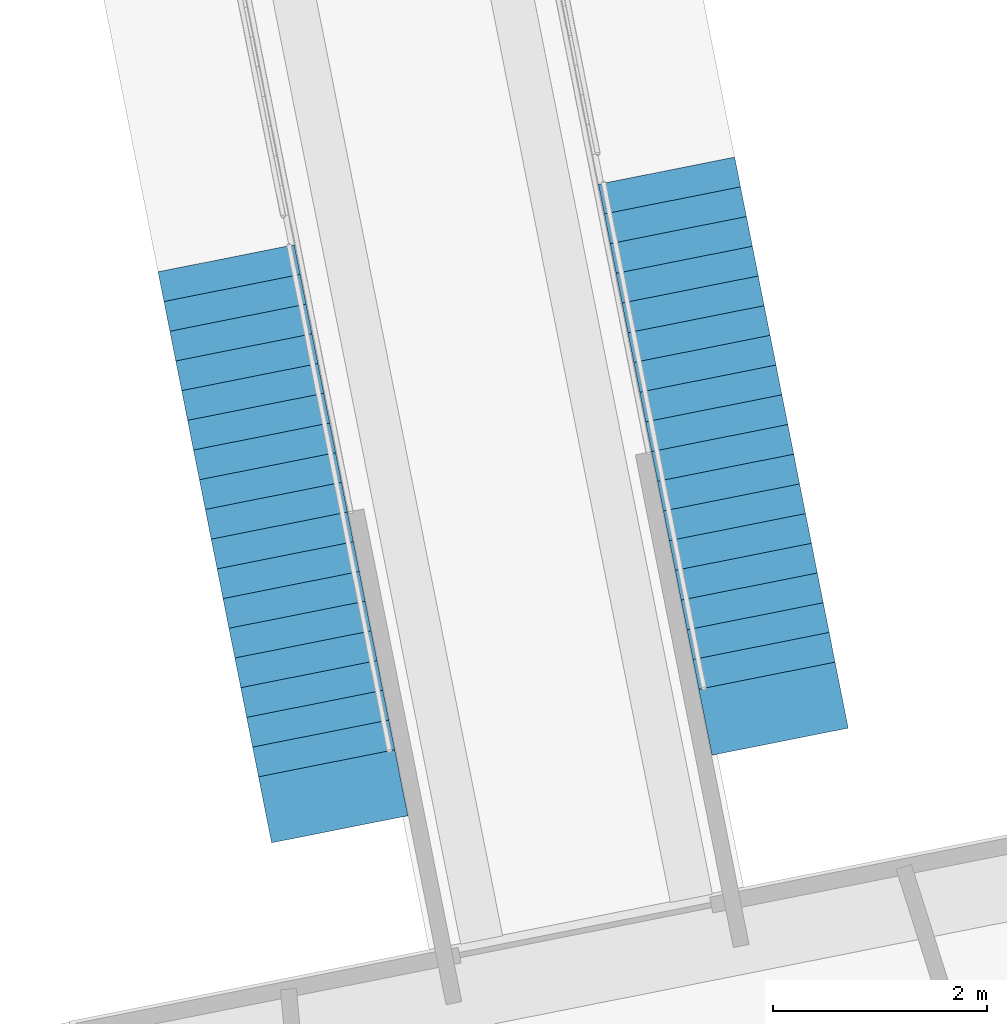
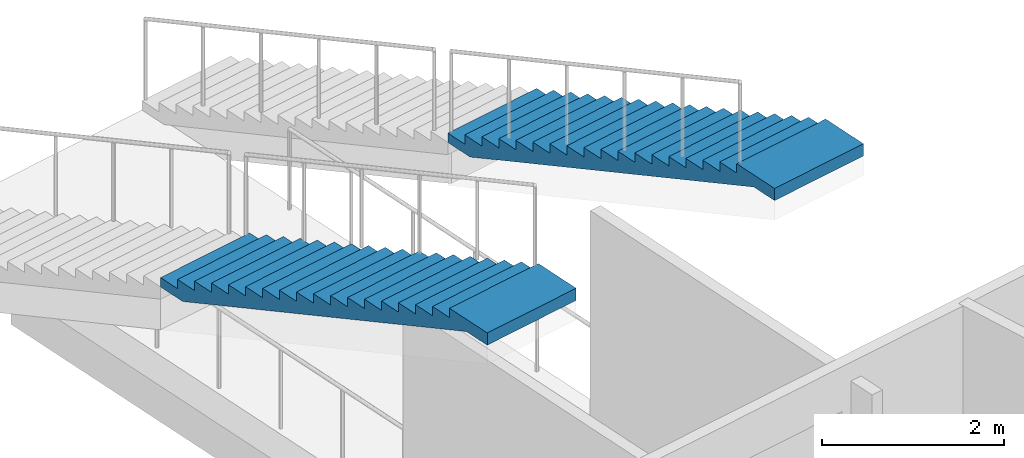
# One storey, part 72 of 175: 2 stair flights, 2 elements without a shape of their own.
"""IFC4 building model written with IfcOpenShell, lengths in metres."""

import ifcopenshell
import ifcopenshell.guid

model = None  # the IFC model being written
_history = None  # IfcOwnerHistory: only IFC2X3 demands one
_inside = {}  # id of a spatial element -> (the spatial element, [elements in it])
_under = {}  # id of a project, library or spatial element -> (it, [spatial elements below it])
_declared = {}  # id of a project -> (the project, [libraries it declares])
_typed = {}  # id of a type object -> (the type object, [elements of that type])
_made_of = {}  # id of a material, layer set ... -> (it, [elements and type objects made of it])


def new_model(schema):
    """Start an empty IFC model of exactly this schema.

    Asked for "IFC4X3", IfcOpenShell would pick the latest addendum, in which some entities
    have other attributes; the version numbers below select the first issue.
    IFC2X3 requires an IfcOwnerHistory on every rooted entity: one is made here for all.
    """
    global model, _history
    if schema == "IFC4X3":
        model = ifcopenshell.file(schema_version=(4, 3, 0, 0))
    else:
        model = ifcopenshell.file(schema=schema)
    _inside.clear()
    _under.clear()
    _declared.clear()
    _typed.clear()
    _made_of.clear()
    _history = None
    if model.schema == "IFC2X3":
        org = make("IfcOrganization", Name="unknown")
        user = make(
            "IfcPersonAndOrganization",
            ThePerson=make("IfcPerson", FamilyName="unknown"),
            TheOrganization=org,
        )
        app = make(
            "IfcApplication",
            ApplicationDeveloper=org,
            Version="unknown",
            ApplicationFullName="unknown",
            ApplicationIdentifier="unknown",
        )
        _history = make(
            "IfcOwnerHistory",
            OwningUser=user,
            OwningApplication=app,
            ChangeAction="ADDED",
            CreationDate=0,
        )
    return model


def make(cls, **values):
    """One entity of the class cls with the attributes given. An attribute that is None is left unset."""
    return model.create_entity(
        cls, **{name: value for name, value in values.items() if value is not None}
    )


def rooted(cls, **values):
    """An entity with a GlobalId (a new one), such as an element, a storey or a relation."""
    return make(cls, GlobalId=ifcopenshell.guid.new(), OwnerHistory=_history, **values)


def si_unit(unit_type, name, prefix=None):
    """IfcSIUnit, for example si_unit("LENGTHUNIT", "METRE", prefix="MILLI")."""
    return make("IfcSIUnit", UnitType=unit_type, Prefix=prefix, Name=name)


def assignment(units):
    """IfcUnitAssignment: the units of a project."""
    return None if units is None else make("IfcUnitAssignment", Units=units)


def point(xyz):
    """IfcCartesianPoint."""
    return None if xyz is None else make("IfcCartesianPoint", Coordinates=xyz)


def direction(xyz):
    """IfcDirection."""
    return None if xyz is None else make("IfcDirection", DirectionRatios=xyz)


def frame(location, z_axis=None, x_axis=None):
    """IfcAxis2Placement3D, a coordinate frame: its origin and axes. An axis left out is left unset."""
    return make(
        "IfcAxis2Placement3D",
        Location=point(location),
        Axis=direction(z_axis),
        RefDirection=direction(x_axis),
    )


def origin():
    """The frame at (0, 0, 0) with its axes left unset."""
    return frame((0.0, 0.0, 0.0))


def place(relative_to, where):
    """IfcLocalPlacement: puts the frame where relative to a parent placement (None: the world)."""
    return make(
        "IfcLocalPlacement", PlacementRelTo=relative_to, RelativePlacement=where
    )


def context(
    kind, dimensions, precision=None, world=None, true_north=None, identifier=None
):
    """IfcGeometricRepresentationContext, for example the 3D "Model" context."""
    return make(
        "IfcGeometricRepresentationContext",
        ContextIdentifier=identifier,
        ContextType=kind,
        CoordinateSpaceDimension=dimensions,
        Precision=precision,
        WorldCoordinateSystem=world,
        TrueNorth=true_north,
    )


def subcontext(parent, identifier, kind, view, scale=None):
    """IfcGeometricRepresentationSubContext, for example "Body" below "Model"."""
    return make(
        "IfcGeometricRepresentationSubContext",
        ContextIdentifier=identifier,
        ContextType=kind,
        ParentContext=parent,
        TargetScale=scale,
        TargetView=view,
    )


def project(units=None, contexts=None):
    """IfcProject with its units and contexts."""
    return rooted(
        "IfcProject",
        Name="project",
        RepresentationContexts=contexts,
        UnitsInContext=assignment(units),
    )


def spatial(cls, under=None, at=None, **own):
    """A site, building, storey or space (cls), placed at a placement, below another one or the project."""
    s = rooted(cls, ObjectPlacement=at, **own)
    if under is not None:
        _under.setdefault(under.id(), (under, []))[1].append(s)
    return s


def faces_of(points, faces, orient=None, outer=None):
    """IfcFace entities. A face is a list of loops; a loop is a list of indices into points, from 0.

    orient and outer hold one flag for each loop. By default every Orientation is true, the
    first loop of a face is its IfcFaceOuterBound and the others are IfcFaceBound.
    """
    made = []
    for i, loops in enumerate(faces):
        bounds = []
        for j, loop in enumerate(loops):
            is_outer = j == 0 if outer is None else outer[i][j]
            bounds.append(
                make(
                    "IfcFaceOuterBound" if is_outer else "IfcFaceBound",
                    Bound=make("IfcPolyLoop", Polygon=[points[k] for k in loop]),
                    Orientation=True if orient is None else orient[i][j],
                )
            )
        made.append(make("IfcFace", Bounds=bounds))
    return made


def faceted_brep(points, faces, orient=None, outer=None, voids=None):
    """IfcFacetedBrep: a solid bounded by flat faces; with voids (closed shells), ...WithVoids."""
    shared = [point(p) for p in points]
    hull = make("IfcClosedShell", CfsFaces=faces_of(shared, faces, orient, outer))
    if voids is None:
        return make("IfcFacetedBrep", Outer=hull)
    return make(
        "IfcFacetedBrepWithVoids",
        Outer=hull,
        Voids=[
            make(cls, CfsFaces=faces_of(shared, fs, o, b)) for cls, fs, o, b in voids
        ],
    )


def shape(context_of_items, identifier, shape_type, items):
    """IfcShapeRepresentation: the items that make up one representation, for example the "Body"."""
    return make(
        "IfcShapeRepresentation",
        ContextOfItems=context_of_items,
        RepresentationIdentifier=identifier,
        RepresentationType=shape_type,
        Items=items,
    )


def material(Name=None, Category=None):
    """IfcMaterial."""
    return make("IfcMaterial", Name=Name, Category=Category)


def made_of(thing, what):
    """Note that an element or type object is made of a material, layer set ...; save() writes the relation."""
    if what is not None:
        _made_of.setdefault(what.id(), (what, []))[1].append(thing)
    return thing


def type_object(cls, material=None, **own):
    """A type object (cls), such as IfcWallType, which elements share."""
    return made_of(rooted(cls, **own), material)


def element(
    cls,
    number,
    at=None,
    inside=None,
    cuts=None,
    type_object=None,
    material=None,
    context=None,
    identifier="Body",
    shape_type=None,
    held_by="IfcProductDefinitionShape",
    body=None,
    shapes=None,
    **own,
):
    """One element of the class cls, such as IfcWall. Its Tag is "e" and its number.

    at: its placement. inside: the storey or other place that contains it. cuts: it is an
    opening in that element (IfcRelVoidsElement). A single representation is given by context,
    identifier, shape_type and body (its items); several are given by shapes. held_by: the class
    of the entity that holds the representations. save() writes the other relations.
    """
    e = rooted(cls, Tag="e%d" % number, ObjectPlacement=at, **own)
    if body is not None:
        shapes = [shape(context, identifier, shape_type, body)]
    if shapes is not None:
        e.Representation = make(held_by, Representations=shapes)
    if inside is not None:
        _inside.setdefault(inside.id(), (inside, []))[1].append(e)
    if cuts is not None:
        rooted(
            "IfcRelVoidsElement", RelatingBuildingElement=cuts, RelatedOpeningElement=e
        )
    if type_object is not None:
        _typed.setdefault(type_object.id(), (type_object, []))[1].append(e)
    return made_of(e, material)


def aggregate(whole, parts):
    """IfcRelAggregates: a whole, such as a stair, and the parts it consists of."""
    return rooted("IfcRelAggregates", RelatingObject=whole, RelatedObjects=parts)


def save(model, path):
    """Write the relations noted so far, then the file.

    IfcRelAggregates (storeys below a building ...), IfcRelContainedInSpatialStructure (elements
    in a storey), IfcRelDefinesByType, IfcRelAssociatesMaterial and IfcRelDeclares: one each for
    every whole, place, type object, material and project.
    """
    for whole, parts in _under.values():
        aggregate(whole, parts)
    for where, things in _inside.values():
        rooted(
            "IfcRelContainedInSpatialStructure",
            RelatedElements=things,
            RelatingStructure=where,
        )
    for kind, things in _typed.values():
        rooted("IfcRelDefinesByType", RelatedObjects=things, RelatingType=kind)
    for what, things in _made_of.values():
        rooted("IfcRelAssociatesMaterial", RelatedObjects=things, RelatingMaterial=what)
    for by, libraries in _declared.values():
        rooted("IfcRelDeclares", RelatingContext=by, RelatedDefinitions=libraries)
    model.write(path)


model = new_model("IFC4")

# Units and contexts
model_context = context("Model", 3, precision=1e-05, world=origin(), true_north=direction((0.0, 1.0)))
body_context = subcontext(model_context, "Body", "Model", "MODEL_VIEW")
ifc_project = project(units=[si_unit("LENGTHUNIT", "METRE"), si_unit("AREAUNIT", "SQUARE_METRE"), si_unit("VOLUMEUNIT", "CUBIC_METRE"), si_unit("PLANEANGLEUNIT", "RADIAN"), si_unit("MASSUNIT", "GRAM", prefix="KILO")], contexts=[model_context])

# Site, building, storey
site_placement = place(None, origin())
site = spatial("IfcSite", under=ifc_project, at=site_placement, CompositionType="ELEMENT")
building_placement = place(site_placement, origin())
building = spatial("IfcBuilding", under=site, at=building_placement, Name="Ogive Plaza Stadium", CompositionType="ELEMENT")
storey_placement = place(building_placement, origin())
storey = spatial("IfcBuildingStorey", under=building, at=storey_placement, Name="L00", CompositionType="ELEMENT", Elevation=0.0)

# Stair, stair flight
ifc_material_1 = material(Name="Concrete C40/50", Category="concrete")
stair_type = type_object("IfcStairType", Name="Aisle stair", PredefinedType="STRAIGHT_RUN_STAIR", material=ifc_material_1)
stair_1_placement = place(storey_placement, origin())
stair_1 = element("IfcStair", 1, at=stair_1_placement, inside=storey, type_object=stair_type, Name="Aisle stair SA11L", PredefinedType="STRAIGHT_RUN_STAIR")
ifc_material_2 = material(Name="Concrete C40/50", Category="concrete")
stair_flight_type = type_object("IfcStairFlightType", Name="Aisle stair flight", PredefinedType="STRAIGHT", material=ifc_material_2)
stair_flight_1_placement = place(storey_placement, frame((35.890869140625, -72.7705078125, 2.25), z_axis=(0.0, 0.0, 1.0), x_axis=(0.195090322016, -0.980785280403, 0.0)))
stair_flight_1 = element("IfcStairFlight", 2, at=stair_flight_1_placement, type_object=stair_flight_type, Name="SA11L flight 2", NumberOfRisers=18, NumberOfTreads=17, PredefinedType="STRAIGHT", RiserHeight=0.125, TreadLength=0.283333333, context=body_context, shape_type="Brep", body=[
    faceted_brep([(0.371337890625, -0.64990234375, 0.0), (5.10009765625, -0.64990234375, 2.086181640625), (5.446533203125, -0.64990234375, 2.086181640625), (5.446533203125, -0.64990234375, 2.25), (4.816650390625, -0.64990234375, 2.25), (4.816650390625, -0.64990234375, 2.125), (4.533447265625, -0.64990234375, 2.125), (4.533447265625, -0.64990234375, 2.0), (4.25, -0.64990234375, 2.0), (4.25, -0.64990234375, 1.875), (3.966552734375, -0.64990234375, 1.875), (3.966552734375, -0.64990234375, 1.75), (3.683349609375, -0.64990234375, 1.75), (3.683349609375, -0.64990234375, 1.625), (3.39990234375, -0.64990234375, 1.625), (3.39990234375, -0.64990234375, 1.5), (3.11669921875, -0.64990234375, 1.5), (3.11669921875, -0.64990234375, 1.375), (2.833251953125, -0.64990234375, 1.375), (2.833251953125, -0.64990234375, 1.25), (2.550048828125, -0.64990234375, 1.25), (2.550048828125, -0.64990234375, 1.125), (2.2666015625, -0.64990234375, 1.125), (2.2666015625, -0.64990234375, 1.0), (1.9833984375, -0.64990234375, 1.0), (1.9833984375, -0.64990234375, 0.875), (1.699951171875, -0.64990234375, 0.875), (1.699951171875, -0.64990234375, 0.75), (1.416748046875, -0.64990234375, 0.75), (1.416748046875, -0.64990234375, 0.625), (1.13330078125, -0.64990234375, 0.625), (1.13330078125, -0.64990234375, 0.5), (0.85009765625, -0.64990234375, 0.5), (0.85009765625, -0.64990234375, 0.375), (0.566650390625, -0.64990234375, 0.375), (0.566650390625, -0.64990234375, 0.25), (0.283447265625, -0.64990234375, 0.25), (0.283447265625, -0.64990234375, 0.125), (0.0, -0.64990234375, 0.125), (0.0, -0.64990234375, 0.0), (0.0, 0.64990234375, 0.0), (0.0, 0.64990234375, 0.125), (0.283447265625, 0.64990234375, 0.125), (0.283447265625, 0.64990234375, 0.25), (0.566650390625, 0.64990234375, 0.25), (0.566650390625, 0.64990234375, 0.375), (0.85009765625, 0.64990234375, 0.375), (0.85009765625, 0.64990234375, 0.5), (1.13330078125, 0.64990234375, 0.5), (1.13330078125, 0.64990234375, 0.625), (1.416748046875, 0.64990234375, 0.625), (1.416748046875, 0.64990234375, 0.75), (1.699951171875, 0.64990234375, 0.75), (1.699951171875, 0.64990234375, 0.875), (1.9833984375, 0.64990234375, 0.875), (1.9833984375, 0.64990234375, 1.0), (2.2666015625, 0.64990234375, 1.0), (2.2666015625, 0.64990234375, 1.125), (2.550048828125, 0.64990234375, 1.125), (2.550048828125, 0.64990234375, 1.25), (2.833251953125, 0.64990234375, 1.25), (2.833251953125, 0.64990234375, 1.375), (3.11669921875, 0.64990234375, 1.375), (3.11669921875, 0.64990234375, 1.5), (3.39990234375, 0.64990234375, 1.5), (3.39990234375, 0.64990234375, 1.625), (3.683349609375, 0.64990234375, 1.625), (3.683349609375, 0.64990234375, 1.75), (3.966552734375, 0.64990234375, 1.75), (3.966552734375, 0.64990234375, 1.875), (4.25, 0.64990234375, 1.875), (4.25, 0.64990234375, 2.0), (4.533447265625, 0.64990234375, 2.0), (4.533447265625, 0.64990234375, 2.125), (4.816650390625, 0.64990234375, 2.125), (4.816650390625, 0.64990234375, 2.25), (5.446533203125, 0.64990234375, 2.25), (5.446533203125, 0.64990234375, 2.086181640625), (5.10009765625, 0.64990234375, 2.086181640625), (0.371337890625, 0.64990234375, 0.0), (0.371337890625, -0.324951171875, 0.0), (5.10009765625, -0.324951171875, 2.086181640625), (0.371337890625, 0.0, 0.0), (5.10009765625, 0.0, 2.086181640625), (0.371337890625, 0.324951171875, 0.0), (5.10009765625, 0.324951171875, 2.086181640625), (5.446533203125, -0.324951171875, 2.086181640625), (5.446533203125, 0.0, 2.086181640625), (5.446533203125, 0.324951171875, 2.086181640625), (5.446533203125, -0.324951171875, 2.25), (5.446533203125, 0.0, 2.25), (5.446533203125, 0.324951171875, 2.25), (4.816650390625, -0.324951171875, 2.25), (4.816650390625, 0.0, 2.25), (4.816650390625, 0.324951171875, 2.25), (4.816650390625, -0.324951171875, 2.125), (4.816650390625, 0.0, 2.125), (4.816650390625, 0.324951171875, 2.125), (4.533447265625, -0.324951171875, 2.125), (4.533447265625, 0.0, 2.125), (4.533447265625, 0.324951171875, 2.125), (4.533447265625, -0.324951171875, 2.0), (4.533447265625, 0.0, 2.0), (4.533447265625, 0.324951171875, 2.0), (4.25, -0.324951171875, 2.0), (4.25, 0.0, 2.0), (4.25, 0.324951171875, 2.0), (4.25, -0.324951171875, 1.875), (4.25, 0.0, 1.875), (4.25, 0.324951171875, 1.875), (3.966552734375, -0.324951171875, 1.875), (3.966552734375, 0.0, 1.875), (3.966552734375, 0.324951171875, 1.875), (3.966552734375, -0.324951171875, 1.75), (3.966552734375, 0.0, 1.75), (3.966552734375, 0.324951171875, 1.75), (3.683349609375, -0.324951171875, 1.75), (3.683349609375, 0.0, 1.75), (3.683349609375, 0.324951171875, 1.75), (3.683349609375, -0.324951171875, 1.625), (3.683349609375, 0.0, 1.625), (3.683349609375, 0.324951171875, 1.625), (3.39990234375, -0.324951171875, 1.625), (3.39990234375, 0.0, 1.625), (3.39990234375, 0.324951171875, 1.625), (3.39990234375, -0.324951171875, 1.5), (3.39990234375, 0.0, 1.5), (3.39990234375, 0.324951171875, 1.5), (3.11669921875, -0.324951171875, 1.5), (3.11669921875, 0.0, 1.5), (3.11669921875, 0.324951171875, 1.5), (3.11669921875, -0.324951171875, 1.375), (3.11669921875, 0.0, 1.375), (3.11669921875, 0.324951171875, 1.375), (2.833251953125, -0.324951171875, 1.375), (2.833251953125, 0.0, 1.375), (2.833251953125, 0.324951171875, 1.375), (2.833251953125, -0.324951171875, 1.25), (2.833251953125, 0.0, 1.25), (2.833251953125, 0.324951171875, 1.25), (2.550048828125, -0.324951171875, 1.25), (2.550048828125, 0.0, 1.25), (2.550048828125, 0.324951171875, 1.25), (2.550048828125, -0.324951171875, 1.125), (2.550048828125, 0.0, 1.125), (2.550048828125, 0.324951171875, 1.125), (2.2666015625, -0.324951171875, 1.125), (2.2666015625, 0.0, 1.125), (2.2666015625, 0.324951171875, 1.125), (2.2666015625, -0.324951171875, 1.0), (2.2666015625, 0.0, 1.0), (2.2666015625, 0.324951171875, 1.0), (1.9833984375, -0.324951171875, 1.0), (1.9833984375, 0.0, 1.0), (1.9833984375, 0.324951171875, 1.0), (1.9833984375, -0.324951171875, 0.875), (1.9833984375, 0.0, 0.875), (1.9833984375, 0.324951171875, 0.875), (1.699951171875, -0.324951171875, 0.875), (1.699951171875, 0.0, 0.875), (1.699951171875, 0.324951171875, 0.875), (1.699951171875, -0.324951171875, 0.75), (1.699951171875, 0.0, 0.75), (1.699951171875, 0.324951171875, 0.75), (1.416748046875, -0.324951171875, 0.75), (1.416748046875, 0.0, 0.75), (1.416748046875, 0.324951171875, 0.75), (1.416748046875, -0.324951171875, 0.625), (1.416748046875, 0.0, 0.625), (1.416748046875, 0.324951171875, 0.625), (1.13330078125, -0.324951171875, 0.625), (1.13330078125, 0.0, 0.625), (1.13330078125, 0.324951171875, 0.625), (1.13330078125, -0.324951171875, 0.5), (1.13330078125, 0.0, 0.5), (1.13330078125, 0.324951171875, 0.5), (0.85009765625, -0.324951171875, 0.5), (0.85009765625, 0.0, 0.5), (0.85009765625, 0.324951171875, 0.5), (0.85009765625, -0.324951171875, 0.375), (0.85009765625, 0.0, 0.375), (0.85009765625, 0.324951171875, 0.375), (0.566650390625, -0.324951171875, 0.375), (0.566650390625, 0.0, 0.375), (0.566650390625, 0.324951171875, 0.375), (0.566650390625, -0.324951171875, 0.25), (0.566650390625, 0.0, 0.25), (0.566650390625, 0.324951171875, 0.25), (0.283447265625, -0.324951171875, 0.25), (0.283447265625, 0.0, 0.25), (0.283447265625, 0.324951171875, 0.25), (0.283447265625, -0.324951171875, 0.125), (0.283447265625, 0.0, 0.125), (0.283447265625, 0.324951171875, 0.125), (0.0, -0.324951171875, 0.125), (0.0, 0.0, 0.125), (0.0, 0.324951171875, 0.125), (0.0, -0.324951171875, 0.0), (0.0, 0.0, 0.0), (0.0, 0.324951171875, 0.0)], [[[0, 1, 2, 3, 4, 5, 6, 7, 8, 9, 10, 11, 12, 13, 14, 15, 16, 17, 18, 19, 20, 21, 22, 23, 24, 25, 26, 27, 28, 29, 30, 31, 32, 33, 34, 35, 36, 37, 38, 39]], [[40, 41, 42, 43, 44, 45, 46, 47, 48, 49, 50, 51, 52, 53, 54, 55, 56, 57, 58, 59, 60, 61, 62, 63, 64, 65, 66, 67, 68, 69, 70, 71, 72, 73, 74, 75, 76, 77, 78, 79]], [[0, 80, 81, 1]], [[80, 82, 83, 81]], [[82, 84, 85, 83]], [[84, 79, 78, 85]], [[1, 81, 86, 2]], [[81, 83, 87, 86]], [[83, 85, 88, 87]], [[85, 78, 77, 88]], [[2, 86, 89, 3]], [[86, 87, 90, 89]], [[87, 88, 91, 90]], [[88, 77, 76, 91]], [[3, 89, 92, 4]], [[89, 90, 93, 92]], [[90, 91, 94, 93]], [[91, 76, 75, 94]], [[4, 92, 95, 5]], [[92, 93, 96, 95]], [[93, 94, 97, 96]], [[94, 75, 74, 97]], [[5, 95, 98, 6]], [[95, 96, 99, 98]], [[96, 97, 100, 99]], [[97, 74, 73, 100]], [[6, 98, 101, 7]], [[98, 99, 102, 101]], [[99, 100, 103, 102]], [[100, 73, 72, 103]], [[7, 101, 104, 8]], [[101, 102, 105, 104]], [[102, 103, 106, 105]], [[103, 72, 71, 106]], [[8, 104, 107, 9]], [[104, 105, 108, 107]], [[105, 106, 109, 108]], [[106, 71, 70, 109]], [[9, 107, 110, 10]], [[107, 108, 111, 110]], [[108, 109, 112, 111]], [[109, 70, 69, 112]], [[10, 110, 113, 11]], [[110, 111, 114, 113]], [[111, 112, 115, 114]], [[112, 69, 68, 115]], [[11, 113, 116, 12]], [[113, 114, 117, 116]], [[114, 115, 118, 117]], [[115, 68, 67, 118]], [[12, 116, 119, 13]], [[116, 117, 120, 119]], [[117, 118, 121, 120]], [[118, 67, 66, 121]], [[13, 119, 122, 14]], [[119, 120, 123, 122]], [[120, 121, 124, 123]], [[121, 66, 65, 124]], [[14, 122, 125, 15]], [[122, 123, 126, 125]], [[123, 124, 127, 126]], [[124, 65, 64, 127]], [[15, 125, 128, 16]], [[125, 126, 129, 128]], [[126, 127, 130, 129]], [[127, 64, 63, 130]], [[16, 128, 131, 17]], [[128, 129, 132, 131]], [[129, 130, 133, 132]], [[130, 63, 62, 133]], [[17, 131, 134, 18]], [[131, 132, 135, 134]], [[132, 133, 136, 135]], [[133, 62, 61, 136]], [[18, 134, 137, 19]], [[134, 135, 138, 137]], [[135, 136, 139, 138]], [[136, 61, 60, 139]], [[19, 137, 140, 20]], [[137, 138, 141, 140]], [[138, 139, 142, 141]], [[139, 60, 59, 142]], [[20, 140, 143, 21]], [[140, 141, 144, 143]], [[141, 142, 145, 144]], [[142, 59, 58, 145]], [[21, 143, 146, 22]], [[143, 144, 147, 146]], [[144, 145, 148, 147]], [[145, 58, 57, 148]], [[22, 146, 149, 23]], [[146, 147, 150, 149]], [[147, 148, 151, 150]], [[148, 57, 56, 151]], [[23, 149, 152, 24]], [[149, 150, 153, 152]], [[150, 151, 154, 153]], [[151, 56, 55, 154]], [[24, 152, 155, 25]], [[152, 153, 156, 155]], [[153, 154, 157, 156]], [[154, 55, 54, 157]], [[25, 155, 158, 26]], [[155, 156, 159, 158]], [[156, 157, 160, 159]], [[157, 54, 53, 160]], [[26, 158, 161, 27]], [[158, 159, 162, 161]], [[159, 160, 163, 162]], [[160, 53, 52, 163]], [[27, 161, 164, 28]], [[161, 162, 165, 164]], [[162, 163, 166, 165]], [[163, 52, 51, 166]], [[28, 164, 167, 29]], [[164, 165, 168, 167]], [[165, 166, 169, 168]], [[166, 51, 50, 169]], [[29, 167, 170, 30]], [[167, 168, 171, 170]], [[168, 169, 172, 171]], [[169, 50, 49, 172]], [[30, 170, 173, 31]], [[170, 171, 174, 173]], [[171, 172, 175, 174]], [[172, 49, 48, 175]], [[31, 173, 176, 32]], [[173, 174, 177, 176]], [[174, 175, 178, 177]], [[175, 48, 47, 178]], [[32, 176, 179, 33]], [[176, 177, 180, 179]], [[177, 178, 181, 180]], [[178, 47, 46, 181]], [[33, 179, 182, 34]], [[179, 180, 183, 182]], [[180, 181, 184, 183]], [[181, 46, 45, 184]], [[34, 182, 185, 35]], [[182, 183, 186, 185]], [[183, 184, 187, 186]], [[184, 45, 44, 187]], [[35, 185, 188, 36]], [[185, 186, 189, 188]], [[186, 187, 190, 189]], [[187, 44, 43, 190]], [[36, 188, 191, 37]], [[188, 189, 192, 191]], [[189, 190, 193, 192]], [[190, 43, 42, 193]], [[37, 191, 194, 38]], [[191, 192, 195, 194]], [[192, 193, 196, 195]], [[193, 42, 41, 196]], [[38, 194, 197, 39]], [[194, 195, 198, 197]], [[195, 196, 199, 198]], [[196, 41, 40, 199]], [[39, 197, 80, 0]], [[197, 198, 82, 80]], [[198, 199, 84, 82]], [[199, 40, 79, 84]]]),
])
aggregate(stair_1, [stair_flight_1])

stair_2_placement = place(storey_placement, origin())
stair_2 = element("IfcStair", 3, at=stair_2_placement, inside=storey, type_object=stair_type, Name="Aisle stair SA11R", PredefinedType="STRAIGHT_RUN_STAIR")
stair_flight_2_placement = place(storey_placement, frame((40.01025390625, -71.951171875, 2.25), z_axis=(0.0, 0.0, 1.0), x_axis=(0.195090322016, -0.980785280403, 0.0)))
stair_flight_2 = element("IfcStairFlight", 4, at=stair_flight_2_placement, type_object=stair_flight_type, Name="SA11R flight 2", NumberOfRisers=18, NumberOfTreads=17, PredefinedType="STRAIGHT", RiserHeight=0.125, TreadLength=0.283333333, context=body_context, shape_type="Brep", body=[
    faceted_brep([(0.371337890625, -0.64990234375, 0.0), (5.10009765625, -0.64990234375, 2.086181640625), (5.446533203125, -0.64990234375, 2.086181640625), (5.446533203125, -0.64990234375, 2.25), (4.816650390625, -0.64990234375, 2.25), (4.816650390625, -0.64990234375, 2.125), (4.533447265625, -0.64990234375, 2.125), (4.533447265625, -0.64990234375, 2.0), (4.25, -0.64990234375, 2.0), (4.25, -0.64990234375, 1.875), (3.966552734375, -0.64990234375, 1.875), (3.966552734375, -0.64990234375, 1.75), (3.683349609375, -0.64990234375, 1.75), (3.683349609375, -0.64990234375, 1.625), (3.39990234375, -0.64990234375, 1.625), (3.39990234375, -0.64990234375, 1.5), (3.11669921875, -0.64990234375, 1.5), (3.11669921875, -0.64990234375, 1.375), (2.833251953125, -0.64990234375, 1.375), (2.833251953125, -0.64990234375, 1.25), (2.550048828125, -0.64990234375, 1.25), (2.550048828125, -0.64990234375, 1.125), (2.2666015625, -0.64990234375, 1.125), (2.2666015625, -0.64990234375, 1.0), (1.9833984375, -0.64990234375, 1.0), (1.9833984375, -0.64990234375, 0.875), (1.699951171875, -0.64990234375, 0.875), (1.699951171875, -0.64990234375, 0.75), (1.416748046875, -0.64990234375, 0.75), (1.416748046875, -0.64990234375, 0.625), (1.13330078125, -0.64990234375, 0.625), (1.13330078125, -0.64990234375, 0.5), (0.85009765625, -0.64990234375, 0.5), (0.85009765625, -0.64990234375, 0.375), (0.566650390625, -0.64990234375, 0.375), (0.566650390625, -0.64990234375, 0.25), (0.283447265625, -0.64990234375, 0.25), (0.283447265625, -0.64990234375, 0.125), (0.0, -0.64990234375, 0.125), (0.0, -0.64990234375, 0.0), (0.0, 0.64990234375, 0.0), (0.0, 0.64990234375, 0.125), (0.283447265625, 0.64990234375, 0.125), (0.283447265625, 0.64990234375, 0.25), (0.566650390625, 0.64990234375, 0.25), (0.566650390625, 0.64990234375, 0.375), (0.85009765625, 0.64990234375, 0.375), (0.85009765625, 0.64990234375, 0.5), (1.13330078125, 0.64990234375, 0.5), (1.13330078125, 0.64990234375, 0.625), (1.416748046875, 0.64990234375, 0.625), (1.416748046875, 0.64990234375, 0.75), (1.699951171875, 0.64990234375, 0.75), (1.699951171875, 0.64990234375, 0.875), (1.9833984375, 0.64990234375, 0.875), (1.9833984375, 0.64990234375, 1.0), (2.2666015625, 0.64990234375, 1.0), (2.2666015625, 0.64990234375, 1.125), (2.550048828125, 0.64990234375, 1.125), (2.550048828125, 0.64990234375, 1.25), (2.833251953125, 0.64990234375, 1.25), (2.833251953125, 0.64990234375, 1.375), (3.11669921875, 0.64990234375, 1.375), (3.11669921875, 0.64990234375, 1.5), (3.39990234375, 0.64990234375, 1.5), (3.39990234375, 0.64990234375, 1.625), (3.683349609375, 0.64990234375, 1.625), (3.683349609375, 0.64990234375, 1.75), (3.966552734375, 0.64990234375, 1.75), (3.966552734375, 0.64990234375, 1.875), (4.25, 0.64990234375, 1.875), (4.25, 0.64990234375, 2.0), (4.533447265625, 0.64990234375, 2.0), (4.533447265625, 0.64990234375, 2.125), (4.816650390625, 0.64990234375, 2.125), (4.816650390625, 0.64990234375, 2.25), (5.446533203125, 0.64990234375, 2.25), (5.446533203125, 0.64990234375, 2.086181640625), (5.10009765625, 0.64990234375, 2.086181640625), (0.371337890625, 0.64990234375, 0.0), (0.371337890625, -0.324951171875, 0.0), (5.10009765625, -0.324951171875, 2.086181640625), (0.371337890625, 0.0, 0.0), (5.10009765625, 0.0, 2.086181640625), (0.371337890625, 0.324951171875, 0.0), (5.10009765625, 0.324951171875, 2.086181640625), (5.446533203125, -0.324951171875, 2.086181640625), (5.446533203125, 0.0, 2.086181640625), (5.446533203125, 0.324951171875, 2.086181640625), (5.446533203125, -0.324951171875, 2.25), (5.446533203125, 0.0, 2.25), (5.446533203125, 0.324951171875, 2.25), (4.816650390625, -0.324951171875, 2.25), (4.816650390625, 0.0, 2.25), (4.816650390625, 0.324951171875, 2.25), (4.816650390625, -0.324951171875, 2.125), (4.816650390625, 0.0, 2.125), (4.816650390625, 0.324951171875, 2.125), (4.533447265625, -0.324951171875, 2.125), (4.533447265625, 0.0, 2.125), (4.533447265625, 0.324951171875, 2.125), (4.533447265625, -0.324951171875, 2.0), (4.533447265625, 0.0, 2.0), (4.533447265625, 0.324951171875, 2.0), (4.25, -0.324951171875, 2.0), (4.25, 0.0, 2.0), (4.25, 0.324951171875, 2.0), (4.25, -0.324951171875, 1.875), (4.25, 0.0, 1.875), (4.25, 0.324951171875, 1.875), (3.966552734375, -0.324951171875, 1.875), (3.966552734375, 0.0, 1.875), (3.966552734375, 0.324951171875, 1.875), (3.966552734375, -0.324951171875, 1.75), (3.966552734375, 0.0, 1.75), (3.966552734375, 0.324951171875, 1.75), (3.683349609375, -0.324951171875, 1.75), (3.683349609375, 0.0, 1.75), (3.683349609375, 0.324951171875, 1.75), (3.683349609375, -0.324951171875, 1.625), (3.683349609375, 0.0, 1.625), (3.683349609375, 0.324951171875, 1.625), (3.39990234375, -0.324951171875, 1.625), (3.39990234375, 0.0, 1.625), (3.39990234375, 0.324951171875, 1.625), (3.39990234375, -0.324951171875, 1.5), (3.39990234375, 0.0, 1.5), (3.39990234375, 0.324951171875, 1.5), (3.11669921875, -0.324951171875, 1.5), (3.11669921875, 0.0, 1.5), (3.11669921875, 0.324951171875, 1.5), (3.11669921875, -0.324951171875, 1.375), (3.11669921875, 0.0, 1.375), (3.11669921875, 0.324951171875, 1.375), (2.833251953125, -0.324951171875, 1.375), (2.833251953125, 0.0, 1.375), (2.833251953125, 0.324951171875, 1.375), (2.833251953125, -0.324951171875, 1.25), (2.833251953125, 0.0, 1.25), (2.833251953125, 0.324951171875, 1.25), (2.550048828125, -0.324951171875, 1.25), (2.550048828125, 0.0, 1.25), (2.550048828125, 0.324951171875, 1.25), (2.550048828125, -0.324951171875, 1.125), (2.550048828125, 0.0, 1.125), (2.550048828125, 0.324951171875, 1.125), (2.2666015625, -0.324951171875, 1.125), (2.2666015625, 0.0, 1.125), (2.2666015625, 0.324951171875, 1.125), (2.2666015625, -0.324951171875, 1.0), (2.2666015625, 0.0, 1.0), (2.2666015625, 0.324951171875, 1.0), (1.9833984375, -0.324951171875, 1.0), (1.9833984375, 0.0, 1.0), (1.9833984375, 0.324951171875, 1.0), (1.9833984375, -0.324951171875, 0.875), (1.9833984375, 0.0, 0.875), (1.9833984375, 0.324951171875, 0.875), (1.699951171875, -0.324951171875, 0.875), (1.699951171875, 0.0, 0.875), (1.699951171875, 0.324951171875, 0.875), (1.699951171875, -0.324951171875, 0.75), (1.699951171875, 0.0, 0.75), (1.699951171875, 0.324951171875, 0.75), (1.416748046875, -0.324951171875, 0.75), (1.416748046875, 0.0, 0.75), (1.416748046875, 0.324951171875, 0.75), (1.416748046875, -0.324951171875, 0.625), (1.416748046875, 0.0, 0.625), (1.416748046875, 0.324951171875, 0.625), (1.13330078125, -0.324951171875, 0.625), (1.13330078125, 0.0, 0.625), (1.13330078125, 0.324951171875, 0.625), (1.13330078125, -0.324951171875, 0.5), (1.13330078125, 0.0, 0.5), (1.13330078125, 0.324951171875, 0.5), (0.85009765625, -0.324951171875, 0.5), (0.85009765625, 0.0, 0.5), (0.85009765625, 0.324951171875, 0.5), (0.85009765625, -0.324951171875, 0.375), (0.85009765625, 0.0, 0.375), (0.85009765625, 0.324951171875, 0.375), (0.566650390625, -0.324951171875, 0.375), (0.566650390625, 0.0, 0.375), (0.566650390625, 0.324951171875, 0.375), (0.566650390625, -0.324951171875, 0.25), (0.566650390625, 0.0, 0.25), (0.566650390625, 0.324951171875, 0.25), (0.283447265625, -0.324951171875, 0.25), (0.283447265625, 0.0, 0.25), (0.283447265625, 0.324951171875, 0.25), (0.283447265625, -0.324951171875, 0.125), (0.283447265625, 0.0, 0.125), (0.283447265625, 0.324951171875, 0.125), (0.0, -0.324951171875, 0.125), (0.0, 0.0, 0.125), (0.0, 0.324951171875, 0.125), (0.0, -0.324951171875, 0.0), (0.0, 0.0, 0.0), (0.0, 0.324951171875, 0.0)], [[[0, 1, 2, 3, 4, 5, 6, 7, 8, 9, 10, 11, 12, 13, 14, 15, 16, 17, 18, 19, 20, 21, 22, 23, 24, 25, 26, 27, 28, 29, 30, 31, 32, 33, 34, 35, 36, 37, 38, 39]], [[40, 41, 42, 43, 44, 45, 46, 47, 48, 49, 50, 51, 52, 53, 54, 55, 56, 57, 58, 59, 60, 61, 62, 63, 64, 65, 66, 67, 68, 69, 70, 71, 72, 73, 74, 75, 76, 77, 78, 79]], [[0, 80, 81, 1]], [[80, 82, 83, 81]], [[82, 84, 85, 83]], [[84, 79, 78, 85]], [[1, 81, 86, 2]], [[81, 83, 87, 86]], [[83, 85, 88, 87]], [[85, 78, 77, 88]], [[2, 86, 89, 3]], [[86, 87, 90, 89]], [[87, 88, 91, 90]], [[88, 77, 76, 91]], [[3, 89, 92, 4]], [[89, 90, 93, 92]], [[90, 91, 94, 93]], [[91, 76, 75, 94]], [[4, 92, 95, 5]], [[92, 93, 96, 95]], [[93, 94, 97, 96]], [[94, 75, 74, 97]], [[5, 95, 98, 6]], [[95, 96, 99, 98]], [[96, 97, 100, 99]], [[97, 74, 73, 100]], [[6, 98, 101, 7]], [[98, 99, 102, 101]], [[99, 100, 103, 102]], [[100, 73, 72, 103]], [[7, 101, 104, 8]], [[101, 102, 105, 104]], [[102, 103, 106, 105]], [[103, 72, 71, 106]], [[8, 104, 107, 9]], [[104, 105, 108, 107]], [[105, 106, 109, 108]], [[106, 71, 70, 109]], [[9, 107, 110, 10]], [[107, 108, 111, 110]], [[108, 109, 112, 111]], [[109, 70, 69, 112]], [[10, 110, 113, 11]], [[110, 111, 114, 113]], [[111, 112, 115, 114]], [[112, 69, 68, 115]], [[11, 113, 116, 12]], [[113, 114, 117, 116]], [[114, 115, 118, 117]], [[115, 68, 67, 118]], [[12, 116, 119, 13]], [[116, 117, 120, 119]], [[117, 118, 121, 120]], [[118, 67, 66, 121]], [[13, 119, 122, 14]], [[119, 120, 123, 122]], [[120, 121, 124, 123]], [[121, 66, 65, 124]], [[14, 122, 125, 15]], [[122, 123, 126, 125]], [[123, 124, 127, 126]], [[124, 65, 64, 127]], [[15, 125, 128, 16]], [[125, 126, 129, 128]], [[126, 127, 130, 129]], [[127, 64, 63, 130]], [[16, 128, 131, 17]], [[128, 129, 132, 131]], [[129, 130, 133, 132]], [[130, 63, 62, 133]], [[17, 131, 134, 18]], [[131, 132, 135, 134]], [[132, 133, 136, 135]], [[133, 62, 61, 136]], [[18, 134, 137, 19]], [[134, 135, 138, 137]], [[135, 136, 139, 138]], [[136, 61, 60, 139]], [[19, 137, 140, 20]], [[137, 138, 141, 140]], [[138, 139, 142, 141]], [[139, 60, 59, 142]], [[20, 140, 143, 21]], [[140, 141, 144, 143]], [[141, 142, 145, 144]], [[142, 59, 58, 145]], [[21, 143, 146, 22]], [[143, 144, 147, 146]], [[144, 145, 148, 147]], [[145, 58, 57, 148]], [[22, 146, 149, 23]], [[146, 147, 150, 149]], [[147, 148, 151, 150]], [[148, 57, 56, 151]], [[23, 149, 152, 24]], [[149, 150, 153, 152]], [[150, 151, 154, 153]], [[151, 56, 55, 154]], [[24, 152, 155, 25]], [[152, 153, 156, 155]], [[153, 154, 157, 156]], [[154, 55, 54, 157]], [[25, 155, 158, 26]], [[155, 156, 159, 158]], [[156, 157, 160, 159]], [[157, 54, 53, 160]], [[26, 158, 161, 27]], [[158, 159, 162, 161]], [[159, 160, 163, 162]], [[160, 53, 52, 163]], [[27, 161, 164, 28]], [[161, 162, 165, 164]], [[162, 163, 166, 165]], [[163, 52, 51, 166]], [[28, 164, 167, 29]], [[164, 165, 168, 167]], [[165, 166, 169, 168]], [[166, 51, 50, 169]], [[29, 167, 170, 30]], [[167, 168, 171, 170]], [[168, 169, 172, 171]], [[169, 50, 49, 172]], [[30, 170, 173, 31]], [[170, 171, 174, 173]], [[171, 172, 175, 174]], [[172, 49, 48, 175]], [[31, 173, 176, 32]], [[173, 174, 177, 176]], [[174, 175, 178, 177]], [[175, 48, 47, 178]], [[32, 176, 179, 33]], [[176, 177, 180, 179]], [[177, 178, 181, 180]], [[178, 47, 46, 181]], [[33, 179, 182, 34]], [[179, 180, 183, 182]], [[180, 181, 184, 183]], [[181, 46, 45, 184]], [[34, 182, 185, 35]], [[182, 183, 186, 185]], [[183, 184, 187, 186]], [[184, 45, 44, 187]], [[35, 185, 188, 36]], [[185, 186, 189, 188]], [[186, 187, 190, 189]], [[187, 44, 43, 190]], [[36, 188, 191, 37]], [[188, 189, 192, 191]], [[189, 190, 193, 192]], [[190, 43, 42, 193]], [[37, 191, 194, 38]], [[191, 192, 195, 194]], [[192, 193, 196, 195]], [[193, 42, 41, 196]], [[38, 194, 197, 39]], [[194, 195, 198, 197]], [[195, 196, 199, 198]], [[196, 41, 40, 199]], [[39, 197, 80, 0]], [[197, 198, 82, 80]], [[198, 199, 84, 82]], [[199, 40, 79, 84]]]),
])
aggregate(stair_2, [stair_flight_2])

save(model, "model.ifc")
